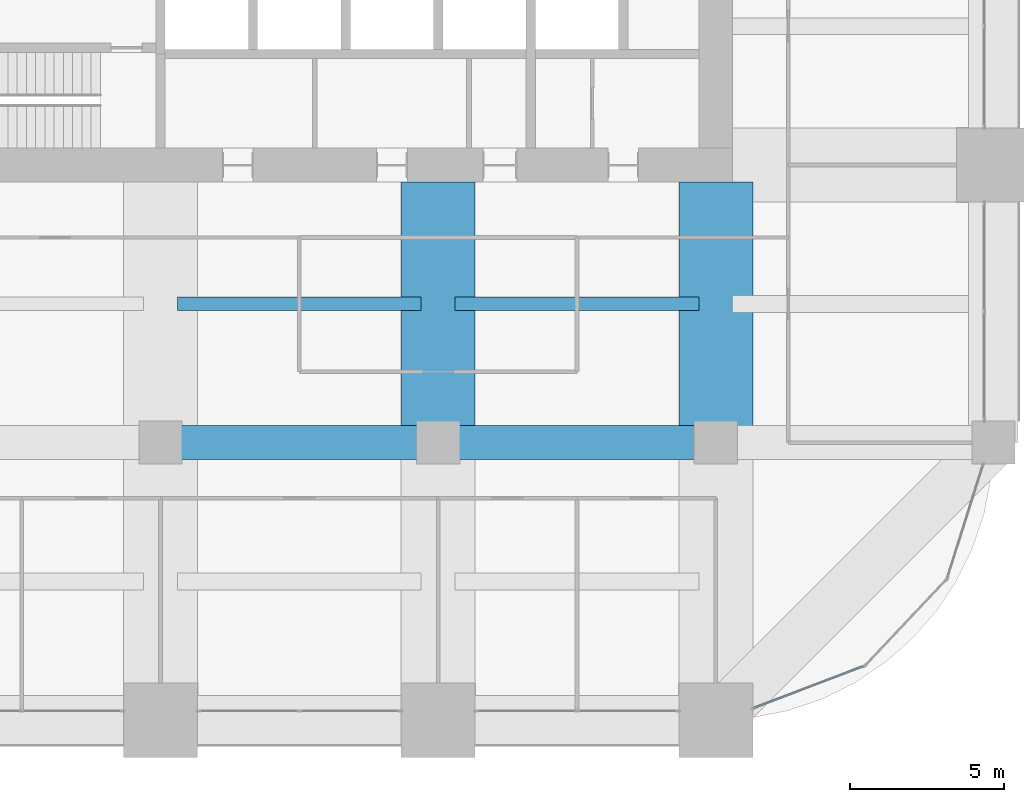
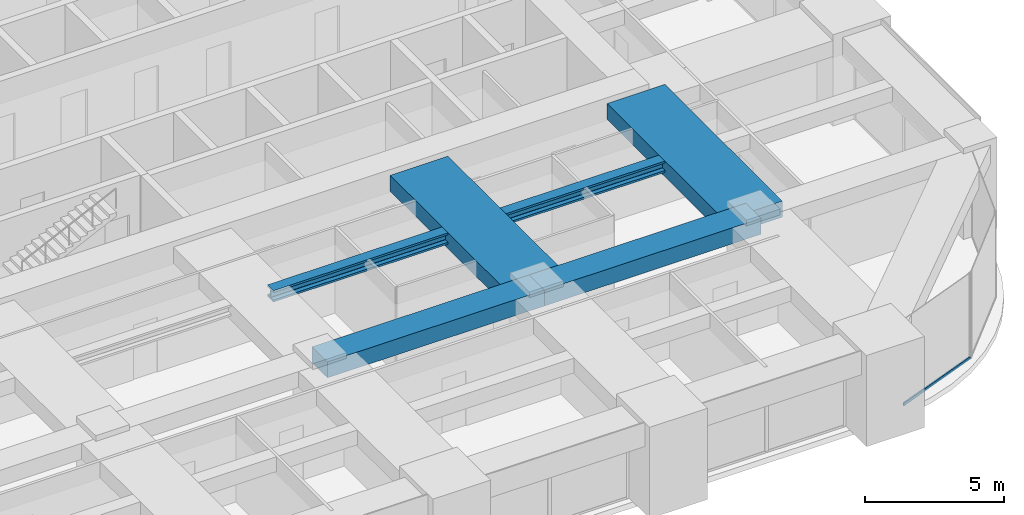
# One storey, part 15 of 35: 6 beams, 1 member, 1 element without a shape of its own.
"""IFC4 building model written with IfcOpenShell, lengths in metres."""

from ifc_helpers import new_model, si_unit, direction, frame, origin, origin_2d, place, context, subcontext, project, spatial, rectangle, hollow_rectangle, i_section, extrude, material, material_profile, profile_set, type_object, element, aggregate, save


model = new_model("IFC4")

# Units and contexts
model_context = context("Model", 3, precision=1e-05, world=origin(), true_north=direction((0.0, 1.0)))
body_context = subcontext(model_context, "Body", "Model", "MODEL_VIEW")
ifc_project = project(units=[si_unit("LENGTHUNIT", "METRE"), si_unit("AREAUNIT", "SQUARE_METRE"), si_unit("VOLUMEUNIT", "CUBIC_METRE"), si_unit("PLANEANGLEUNIT", "RADIAN"), si_unit("MASSUNIT", "GRAM", prefix="KILO")], contexts=[model_context])

# Site, building, storey
site_placement = place(None, origin())
site = spatial("IfcSite", under=ifc_project, at=site_placement, CompositionType="ELEMENT")
building_placement = place(site_placement, origin())
building = spatial("IfcBuilding", under=site, at=building_placement, Name="Zorevar Civic Tower", CompositionType="ELEMENT")
storey_placement = place(building_placement, frame((0.0, 0.0, 222.199951171875)))
storey = spatial("IfcBuildingStorey", under=building, at=storey_placement, Name="L54", CompositionType="ELEMENT", Elevation=222.199951171875)

# Beams
ifc_material_1 = material(Name="Concrete C50/60", Category="concrete")
ifc_material_profile_1 = material_profile(ifc_material_1, rectangle(XDim=1.10009765625, YDim=0.699951171875, at=origin_2d()), Name="RC 1100x700")
ifc_profile_set_1 = profile_set([ifc_material_profile_1], Name="Concrete C50/60")
beam_type_1 = type_object("IfcBeamType", Name="Beam RC 1100x700", PredefinedType="BEAM", material=ifc_profile_set_1)
for number, where, z_axis, x_axis, name in (
    (1, (27.0, 9.0, 3.400146484375), (1.0, 0.0, 0.0), (0.0, 1.0, 0.0), "Girder L55"),
    (2, (36.0, 9.0, 3.400146484375), (1.0, 0.0, 0.0), (0.0, 1.0, 0.0), "Girder L55"),
):
    element("IfcBeam", number, at=place(storey_placement, frame(where, z_axis=z_axis, x_axis=x_axis)), inside=storey, type_object=beam_type_1, Name=name, PredefinedType="BEAM", context=body_context, shape_type="SweptSolid", body=[
        extrude(rectangle(XDim=1.10009765625, YDim=0.699951171875, at=origin_2d()), origin(), (0.0, 0.0, 1.0), 9.0),
    ])
ifc_material_2 = material(Name="Concrete C50/60", Category="concrete")
ifc_material_profile_2 = material_profile(ifc_material_2, rectangle(XDim=2.39990234375, YDim=0.699951171875, at=origin_2d()), Name="RC 2400x700")
ifc_profile_set_2 = profile_set([ifc_material_profile_2], Name="Concrete C50/60")
beam_type_2 = type_object("IfcBeamType", Name="Beam RC 2400x700", PredefinedType="BEAM", material=ifc_profile_set_2)
for number, where, z_axis, x_axis, name in (
    (3, (36.0, 9.0, 3.400146484375), (0.0, 1.0, 0.0), (-1.0, 0.0, 0.0), "Girder L55"),
    (4, (45.0, 9.0, 3.400146484375), (0.0, 1.0, 0.0), (-1.0, 0.0, 0.0), "Girder L55"),
):
    element("IfcBeam", number, at=place(storey_placement, frame(where, z_axis=z_axis, x_axis=x_axis)), inside=storey, type_object=beam_type_2, Name=name, PredefinedType="BEAM", context=body_context, shape_type="SweptSolid", body=[
        extrude(rectangle(XDim=2.39990234375, YDim=0.699951171875, at=origin_2d()), origin(), (0.0, 0.0, 1.0), 8.449951171875),
    ])

# Curtain wall, member
ifc_material_3 = material(Name="Dark grey solar-control glass in black aluminium frame", Category="aluminium")
curtain_wall_type = type_object("IfcCurtainWallType", Name="Curtain wall CW4 high zone", PredefinedType="NOTDEFINED", material=ifc_material_3)
curtain_wall_placement = place(storey_placement, origin())
curtain_wall = element("IfcCurtainWall", 5, at=curtain_wall_placement, inside=storey, type_object=curtain_wall_type, Name="CW4 L54", PredefinedType="NOTDEFINED")
ifc_material_4 = material(Name="Aluminium, black anodised", Category="aluminium")
ifc_material_profile_3 = material_profile(ifc_material_4, hollow_rectangle(XDim=0.06005859375, YDim=0.1201171875, WallThickness=0.0029296875, at=origin_2d()), Name="AL 120x60x3")
ifc_profile_set_3 = profile_set([ifc_material_profile_3], Name="Aluminium, black anodised")
member_type = type_object("IfcMemberType", Name="CW4 transom AL 120x60x3", PredefinedType="USERDEFINED", material=ifc_profile_set_3)
member_placement = place(storey_placement, frame((46.256103515625, 0.404541015625, 0.030029296875), z_axis=(0.934589335576, 0.355728511406, 0.0), x_axis=(-0.355728511406, 0.934589335576, 0.0)))
member = element("IfcMember", 6, at=member_placement, type_object=member_type, Name="CW4 sill transom", ObjectType="TRANSOM", PredefinedType="USERDEFINED", context=body_context, shape_type="SweptSolid", body=[
    extrude(hollow_rectangle(XDim=0.06005859375, YDim=0.1201171875, WallThickness=0.0029296875, at=origin_2d()), origin(), (0.0, 0.0, 1.0), 3.76708984375),
])
aggregate(curtain_wall, [member])

# Beams
ifc_material_5 = material(Name="Steel S460M (HISTAR 460)", Category="steel")
ifc_material_profile_4 = material_profile(ifc_material_5, i_section(OverallWidth=0.431884765625, OverallDepth=0.498046875, WebThickness=0.0556640625, FlangeThickness=0.0888671875, FilletRadius=0.014892578125, at=origin_2d()), Name="HD 400x744")
ifc_profile_set_4 = profile_set([ifc_material_profile_4], Name="Steel S460M (HISTAR 460)")
beam_type_3 = type_object("IfcBeamType", Name="Core bay beam HD 400x744", PredefinedType="BEAM", material=ifc_profile_set_4)
for number, where, z_axis, x_axis, name in (
    (7, (27.550048828125, 13.5, 3.5009765625), (1.0, 0.0, 0.0), (0.0, 1.0, 0.0), "Secondary beam L55"),
    (8, (36.550048828125, 13.5, 3.5009765625), (1.0, 0.0, 0.0), (0.0, 1.0, 0.0), "Secondary beam L55"),
):
    element("IfcBeam", number, at=place(storey_placement, frame(where, z_axis=z_axis, x_axis=x_axis)), inside=storey, type_object=beam_type_3, Name=name, PredefinedType="BEAM", context=body_context, shape_type="SweptSolid", body=[
        extrude(i_section(OverallWidth=0.431884765625, OverallDepth=0.498046875, WebThickness=0.0556640625, FlangeThickness=0.0888671875, FilletRadius=0.014892578125, at=origin_2d()), origin(), (0.0, 0.0, 1.0), 7.89990234375),
    ])

save(model, "model.ifc")
